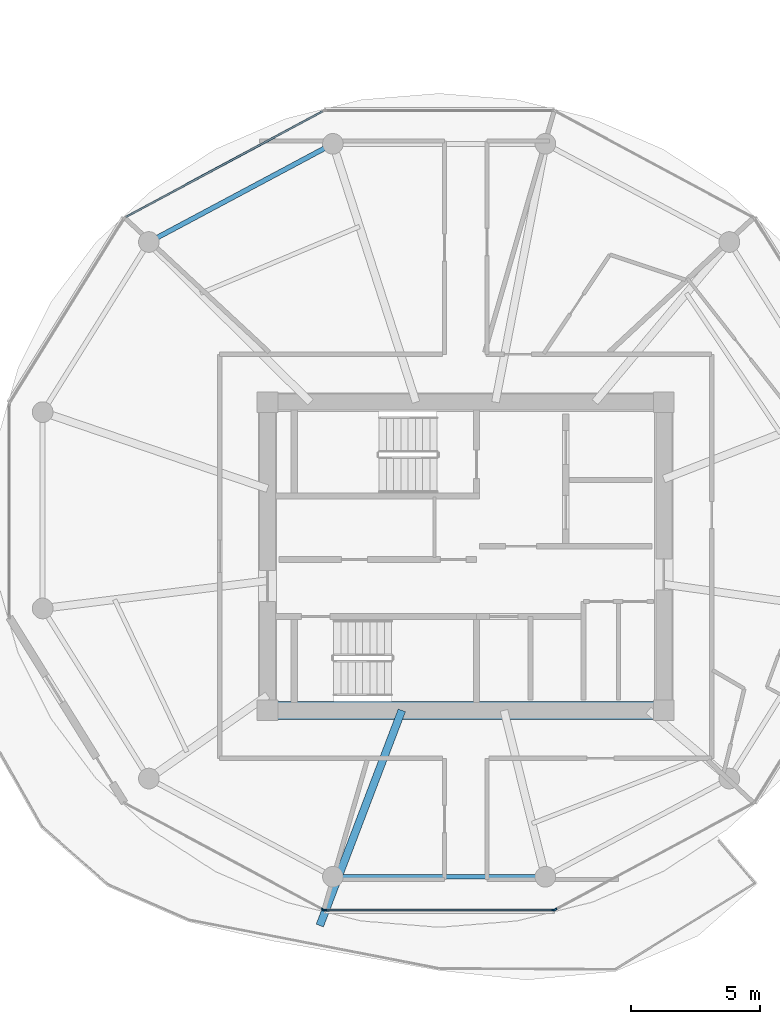
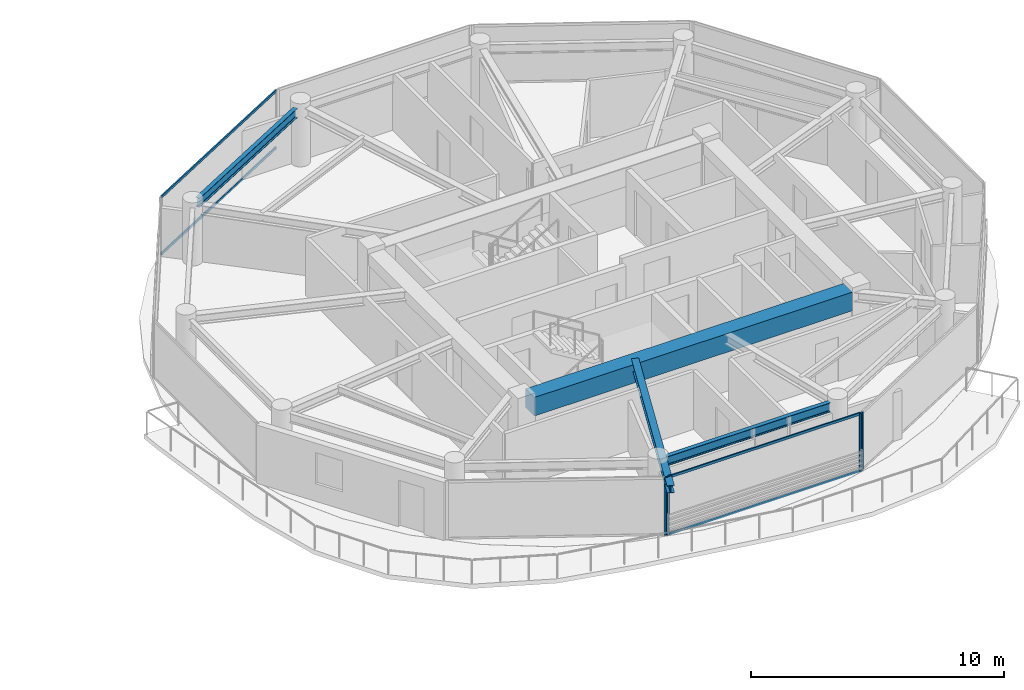
# One storey, part 8 of 21: 8 members, 4 beams, 4 elements without a shape of their own.
"""IFC4 building model written with IfcOpenShell, lengths in metres."""

from ifc_helpers import new_model, si_unit, direction, frame, origin, origin_2d, place, context, subcontext, project, spatial, rectangle, i_section, extrude, source, transform, mapped, material, layer, layer_set, material_profile, profile_set, type_object, type_shapes, element, aggregate, save


model = new_model("IFC4")

# Units and contexts
model_context = context("Model", 3, precision=1e-05, world=origin(), true_north=direction((0.0, 1.0)))
body_context = subcontext(model_context, "Body", "Model", "MODEL_VIEW")
ifc_project = project(units=[si_unit("LENGTHUNIT", "METRE"), si_unit("AREAUNIT", "SQUARE_METRE"), si_unit("VOLUMEUNIT", "CUBIC_METRE"), si_unit("PLANEANGLEUNIT", "RADIAN"), si_unit("MASSUNIT", "GRAM", prefix="KILO")], contexts=[model_context])

# Site, building, storey
site_placement = place(None, origin())
site = spatial("IfcSite", under=ifc_project, at=site_placement, CompositionType="ELEMENT")
building_placement = place(site_placement, origin())
building = spatial("IfcBuilding", under=site, at=building_placement, Name="Norrkilde Senior Care Towers", CompositionType="ELEMENT")
storey_placement = place(building_placement, frame((0.0, 0.0, 143.449951171875)))
storey = spatial("IfcBuildingStorey", under=building, at=storey_placement, Name="L44", CompositionType="ELEMENT", Elevation=143.449951171875)

# Beams
ifc_material_1 = material(Name="Concrete C60/75", Category="concrete")
ifc_material_profile_1 = material_profile(ifc_material_1, rectangle(XDim=0.699951171875, YDim=0.89990234375, at=origin_2d()), Name="RC BM 700x900")
ifc_profile_set_1 = profile_set([ifc_material_profile_1], Name="Concrete C60/75")
beam_type_1 = type_object("IfcBeamType", Name="Core Coupling Girder 700x900", PredefinedType="USERDEFINED", material=ifc_profile_set_1)
shared_shape_1 = source(origin(), body_context, "Body", "SweptSolid", [
    extrude(rectangle(XDim=0.699951171875, YDim=0.89990234375, at=origin_2d()), origin(), (0.0, 0.0, 1.0), 14.5400390625),
])
type_shapes(beam_type_1, [shared_shape_1])
beam_1_placement = place(storey_placement, frame((20.72998046875, -5.949951171875, 2.360107421875), z_axis=(1.0, 0.0, 0.0), x_axis=(0.0, 1.0, 0.0)))
element("IfcBeam", 1, at=beam_1_placement, inside=storey, type_object=beam_type_1, Name="L44 Core E S Coupling Girder", ObjectType="GIRDER", PredefinedType="USERDEFINED", context=body_context, shape_type="MappedRepresentation", body=[
    mapped(shared_shape_1, transform((0.0, 0.0, 0.0), x_axis=(1.0, 0.0, 0.0), y_axis=(0.0, 1.0, 0.0), z_axis=(0.0, 0.0, 1.0), scale=1.0)),
])
ifc_material_2 = material(Name="Steel S355", Category="steel")
ifc_material_profile_2 = material_profile(ifc_material_2, i_section(OverallWidth=0.18994140625, OverallDepth=0.449951171875, WebThickness=0.009521484375, FlangeThickness=0.0146484375, FilletRadius=0.02099609375, at=origin_2d()), Name="IPE 450")
ifc_profile_set_2 = profile_set([ifc_material_profile_2], Name="Steel S355")
beam_type_2 = type_object("IfcBeamType", Name="Perimeter Ring Spandrel Z3 IPE450", PredefinedType="SPANDREL", material=ifc_profile_set_2)
shared_shape_2 = source(origin(), body_context, "Body", "SweptSolid", [
    extrude(i_section(OverallWidth=0.18994140625, OverallDepth=0.449951171875, WebThickness=0.009521484375, FlangeThickness=0.0146484375, FilletRadius=0.02099609375, at=origin_2d()), origin(), (0.0, 0.0, 1.0), 7.333740234375),
])
beam_2_placement = place(storey_placement, frame((22.55517578125, 15.756591796875, 2.5849609375), z_axis=(-0.882247866069, -0.470785198172, 0.0), x_axis=(0.470785198172, -0.882247866069, 0.0)))
element("IfcBeam", 2, at=beam_2_placement, inside=storey, type_object=beam_type_2, Name="L44 Drum E Perimeter Spandrel 04", PredefinedType="SPANDREL", context=body_context, shape_type="MappedRepresentation", body=[
    mapped(shared_shape_2, transform((0.0, 0.0, 0.0), x_axis=(1.0, 0.0, 0.0), y_axis=(0.0, 1.0, 0.0), z_axis=(0.0, 0.0, 1.0), scale=1.0)),
])
shared_shape_3 = source(origin(), body_context, "Body", "SweptSolid", [
    extrude(i_section(OverallWidth=0.18994140625, OverallDepth=0.449951171875, WebThickness=0.009521484375, FlangeThickness=0.0146484375, FilletRadius=0.02099609375, at=origin_2d()), origin(), (0.0, 0.0, 1.0), 7.484619140625),
])
type_shapes(beam_type_2, [shared_shape_2, shared_shape_3])
beam_3_placement = place(storey_placement, frame((23.232666015625, -12.37548828125, 2.5849609375), z_axis=(1.0, 0.0, 0.0), x_axis=(0.0, 1.0, 0.0)))
element("IfcBeam", 3, at=beam_3_placement, inside=storey, type_object=beam_type_2, Name="L44 Drum E Perimeter Spandrel 09", PredefinedType="SPANDREL", context=body_context, shape_type="MappedRepresentation", body=[
    mapped(shared_shape_3, transform((0.0, 0.0, 0.0), x_axis=(1.0, 0.0, 0.0), y_axis=(0.0, 1.0, 0.0), z_axis=(0.0, 0.0, 1.0), scale=1.0)),
])
ifc_material_profile_3 = material_profile(ifc_material_2, i_section(OverallWidth=0.300048828125, OverallDepth=0.360107421875, WebThickness=0.012451171875, FlangeThickness=0.0224609375, FilletRadius=0.027099609375, at=origin_2d()), Name="HEB 360")
ifc_profile_set_3 = profile_set([ifc_material_profile_3], Name="Steel S355")
beam_type_3 = type_object("IfcBeamType", Name="Balcony Crest Cantilever Rib HEB360", PredefinedType="BEAM", material=ifc_profile_set_3)
shared_shape_4 = source(origin(), body_context, "Body", "SweptSolid", [
    extrude(i_section(OverallWidth=0.300048828125, OverallDepth=0.360107421875, WebThickness=0.012451171875, FlangeThickness=0.0224609375, FilletRadius=0.027099609375, at=origin_2d()), origin(), (0.0, 0.0, 1.0), 8.89208984375),
])
type_shapes(beam_type_3, [shared_shape_4])
beam_4_placement = place(storey_placement, frame((25.534912109375, -5.949951171875, 2.630126953125), z_axis=(-0.35615516341, -0.93442682944, 0.0), x_axis=(0.93442682944, -0.35615516341, 0.0)))
element("IfcBeam", 4, at=beam_4_placement, inside=storey, type_object=beam_type_3, Name="L44 Drum E Balcony Cantilever Rib", PredefinedType="BEAM", context=body_context, shape_type="MappedRepresentation", body=[
    mapped(shared_shape_4, transform((0.0, 0.0, 0.0), x_axis=(1.0, 0.0, 0.0), y_axis=(0.0, 1.0, 0.0), z_axis=(0.0, 0.0, 1.0), scale=1.0)),
])

# Curtain wall, member
ifc_material_3 = material(Name="Triple Low-E Insulated Glazing", Category="glass")
ifc_layer = layer(ifc_material_3, 0.18994140625)
ifc_layer_set = layer_set([ifc_layer], Name="Triple Low-E Insulated Glazing")
curtain_wall_type = type_object("IfcCurtainWallType", Name="CW4 Zone 3 Senior Residence Curtain Wall", PredefinedType="NOTDEFINED", material=ifc_layer_set)
curtain_wall_1_placement = place(storey_placement, origin())
curtain_wall_1 = element("IfcCurtainWall", 5, at=curtain_wall_1_placement, inside=storey, type_object=curtain_wall_type, Name="L44 Drum E Curtain Wall 07", PredefinedType="NOTDEFINED")
ifc_material_4 = material(Name="Anodised Aluminium", Category="aluminium")
ifc_material_profile_4 = material_profile(ifc_material_4, rectangle(XDim=0.06494140625, YDim=0.14990234375, at=origin_2d()), Name="ALU MULL 65x150")
ifc_profile_set_4 = profile_set([ifc_material_profile_4], Name="Anodised Aluminium")
member_type_1 = type_object("IfcMemberType", Name="Curtain Wall Mullion Z3-Z4 65x150", PredefinedType="MULLION", material=ifc_profile_set_4)
shared_shape_5 = source(origin(), body_context, "Body", "SweptSolid", [
    extrude(rectangle(XDim=0.06494140625, YDim=0.14990234375, at=origin_2d()), origin(), (0.0, 0.0, 1.0), 2.81005859375),
])
type_shapes(member_type_1, [shared_shape_5])
member_1_placement = place(storey_placement, frame((22.499755859375, -13.644775390625, 0.0), z_axis=(0.0, 0.0, 1.0), x_axis=(-0.47311715104, -0.880999524059, 0.0)))
member_1 = element("IfcMember", 6, at=member_1_placement, type_object=member_type_1, Name="CW-4 mullion 1", PredefinedType="MULLION", context=body_context, shape_type="MappedRepresentation", body=[
    mapped(shared_shape_5, transform((0.0, 0.0, 0.0), x_axis=(1.0, 0.0, 0.0), y_axis=(0.0, 1.0, 0.0), z_axis=(0.0, 0.0, 1.0), scale=1.0)),
])
aggregate(curtain_wall_1, [member_1])

# Curtain wall, members
curtain_wall_2_placement = place(storey_placement, origin())
curtain_wall_2 = element("IfcCurtainWall", 7, at=curtain_wall_2_placement, inside=storey, type_object=curtain_wall_type, Name="L44 Drum E Curtain Wall 08", PredefinedType="NOTDEFINED")
member_2_placement = place(storey_placement, frame((31.388916015625, -13.66015625, 0.0), z_axis=(0.0, 0.0, 1.0), x_axis=(0.0, -1.0, 0.0)))
member_2 = element("IfcMember", 8, at=member_2_placement, type_object=member_type_1, Name="CW-4 mullion 1", PredefinedType="MULLION", context=body_context, shape_type="MappedRepresentation", body=[
    mapped(shared_shape_5, transform((0.0, 0.0, 0.0), x_axis=(1.0, 0.0, 0.0), y_axis=(0.0, 1.0, 0.0), z_axis=(0.0, 0.0, 1.0), scale=1.0)),
])
member_3_placement = place(storey_placement, frame((22.56103515625, -13.66015625, 0.0), z_axis=(0.0, 0.0, 1.0), x_axis=(0.0, -1.0, 0.0)))
member_3 = element("IfcMember", 9, at=member_3_placement, type_object=member_type_1, Name="CW-4 mullion 2", PredefinedType="MULLION", context=body_context, shape_type="MappedRepresentation", body=[
    mapped(shared_shape_5, transform((0.0, 0.0, 0.0), x_axis=(1.0, 0.0, 0.0), y_axis=(0.0, 1.0, 0.0), z_axis=(0.0, 0.0, 1.0), scale=1.0)),
])

# Curtain wall, member
curtain_wall_3_placement = place(storey_placement, origin())
curtain_wall_3 = element("IfcCurtainWall", 10, at=curtain_wall_3_placement, inside=storey, type_object=curtain_wall_type, Name="L44 Drum E Curtain Wall 09", PredefinedType="NOTDEFINED")
member_4_placement = place(storey_placement, frame((31.4501953125, -13.644775390625, 0.0), z_axis=(0.0, 0.0, 1.0), x_axis=(0.47311715104, -0.880999524059, 0.0)))
member_4 = element("IfcMember", 11, at=member_4_placement, type_object=member_type_1, Name="CW-4 mullion 2", PredefinedType="MULLION", context=body_context, shape_type="MappedRepresentation", body=[
    mapped(shared_shape_5, transform((0.0, 0.0, 0.0), x_axis=(1.0, 0.0, 0.0), y_axis=(0.0, 1.0, 0.0), z_axis=(0.0, 0.0, 1.0), scale=1.0)),
])
aggregate(curtain_wall_3, [member_4])

# Curtain wall, members
curtain_wall_4_placement = place(storey_placement, origin())
curtain_wall_4 = element("IfcCurtainWall", 12, at=curtain_wall_4_placement, inside=storey, type_object=curtain_wall_type, Name="L44 Drum E Curtain Wall 03", PredefinedType="NOTDEFINED")
ifc_material_profile_5 = material_profile(ifc_material_4, rectangle(XDim=0.06005859375, YDim=0.1201171875, at=origin_2d()), Name="ALU TRAN 60x120")
ifc_profile_set_5 = profile_set([ifc_material_profile_5], Name="Anodised Aluminium")
member_type_2 = type_object("IfcMemberType", Name="Curtain Wall Transom Typical 60x120", PredefinedType="USERDEFINED", material=ifc_profile_set_5)
shared_shape_6 = source(origin(), body_context, "Body", "SweptSolid", [
    extrude(rectangle(XDim=0.06005859375, YDim=0.1201171875, at=origin_2d()), origin(), (0.0, 0.0, 1.0), 8.61181640625),
])
member_5_placement = place(storey_placement, frame((14.88427734375, 13.105712890625, 0.030029296875), z_axis=(0.880993991641, 0.473127452906, 0.0), x_axis=(-0.473127452906, 0.880993991641, 0.0)))
member_5 = element("IfcMember", 13, at=member_5_placement, type_object=member_type_2, Name="CW-4 transom 1.1", ObjectType="TRANSOM", PredefinedType="USERDEFINED", context=body_context, shape_type="MappedRepresentation", body=[
    mapped(shared_shape_6, transform((0.0, 0.0, 0.0), x_axis=(1.0, 0.0, 0.0), y_axis=(0.0, 1.0, 0.0), z_axis=(0.0, 0.0, 1.0), scale=1.0)),
])
member_6_placement = place(storey_placement, frame((14.88427734375, 13.105712890625, 2.780029296875), z_axis=(0.880993991641, 0.473127452906, 0.0), x_axis=(-0.473127452906, 0.880993991641, 0.0)))
member_6 = element("IfcMember", 14, at=member_6_placement, type_object=member_type_2, Name="CW-4 transom 1.2", ObjectType="TRANSOM", PredefinedType="USERDEFINED", context=body_context, shape_type="MappedRepresentation", body=[
    mapped(shared_shape_6, transform((0.0, 0.0, 0.0), x_axis=(1.0, 0.0, 0.0), y_axis=(0.0, 1.0, 0.0), z_axis=(0.0, 0.0, 1.0), scale=1.0)),
])
aggregate(curtain_wall_4, [member_5, member_6])

# Member
shared_shape_7 = source(origin(), body_context, "Body", "SweptSolid", [
    extrude(rectangle(XDim=0.06005859375, YDim=0.1201171875, at=origin_2d()), origin(), (0.0, 0.0, 1.0), 8.762939453125),
])
type_shapes(member_type_2, [shared_shape_6, shared_shape_7])
member_7_placement = place(storey_placement, frame((31.3564453125, -13.66015625, 0.030029296875), z_axis=(-1.0, 0.0, 0.0), x_axis=(0.0, -1.0, 0.0)))
member_7 = element("IfcMember", 15, at=member_7_placement, type_object=member_type_2, Name="CW-4 transom 1.1", ObjectType="TRANSOM", PredefinedType="USERDEFINED", context=body_context, shape_type="MappedRepresentation", body=[
    mapped(shared_shape_7, transform((0.0, 0.0, 0.0), x_axis=(1.0, 0.0, 0.0), y_axis=(0.0, 1.0, 0.0), z_axis=(0.0, 0.0, 1.0), scale=1.0)),
])

member_8_placement = place(storey_placement, frame((31.3564453125, -13.66015625, 2.780029296875), z_axis=(-1.0, 0.0, 0.0), x_axis=(0.0, -1.0, 0.0)))
member_8 = element("IfcMember", 16, at=member_8_placement, type_object=member_type_2, Name="CW-4 transom 1.2", ObjectType="TRANSOM", PredefinedType="USERDEFINED", context=body_context, shape_type="MappedRepresentation", body=[
    mapped(shared_shape_7, transform((0.0, 0.0, 0.0), x_axis=(1.0, 0.0, 0.0), y_axis=(0.0, 1.0, 0.0), z_axis=(0.0, 0.0, 1.0), scale=1.0)),
])

aggregate(curtain_wall_2, [member_2, member_3, member_7, member_8])

save(model, "model.ifc")
